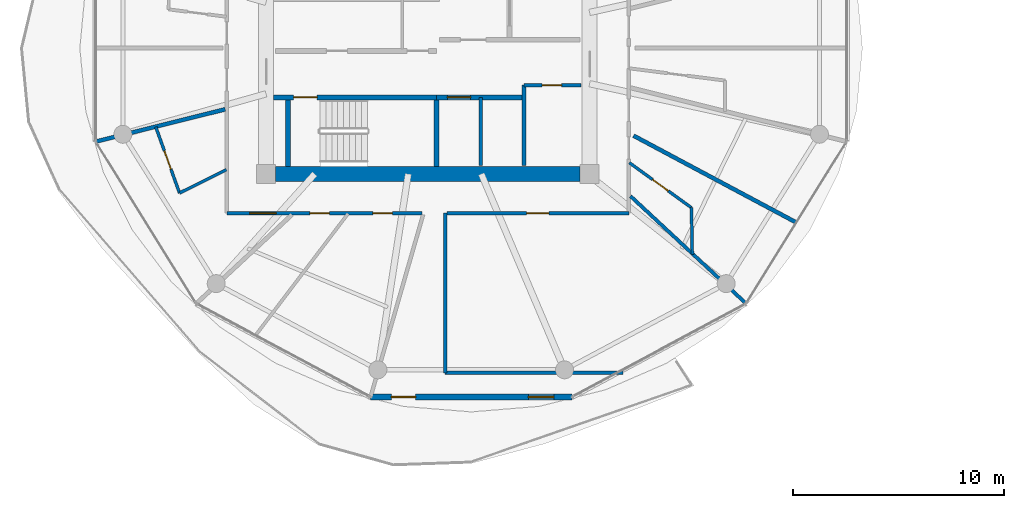
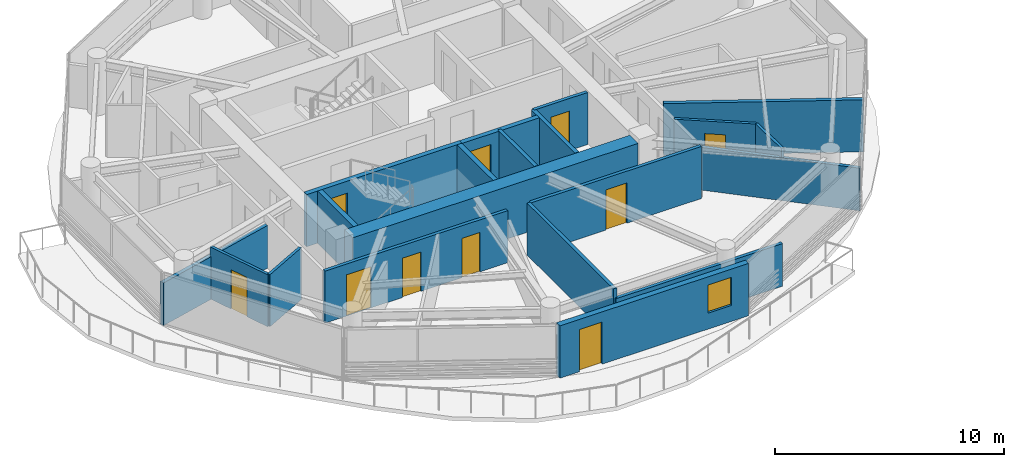
# One storey, part 13 of 24: 20 walls, 10 doors, 1 window, 11 openings.
"""IFC4 building model written with IfcOpenShell, lengths in metres."""

from ifc_helpers import new_model, si_unit, direction, frame, frame_2d, origin, place, context, subcontext, project, spatial, rectangle, extrude, source, transform, mapped, material, layer, layer_set, type_object, type_shapes, element, fill, save


model = new_model("IFC4")

# Units and contexts
model_context = context("Model", 3, precision=1e-05, world=origin(), true_north=direction((0.0, 1.0)))
body_context = subcontext(model_context, "Body", "Model", "MODEL_VIEW")
ifc_project = project(units=[si_unit("LENGTHUNIT", "METRE"), si_unit("AREAUNIT", "SQUARE_METRE"), si_unit("VOLUMEUNIT", "CUBIC_METRE"), si_unit("PLANEANGLEUNIT", "RADIAN"), si_unit("MASSUNIT", "GRAM", prefix="KILO")], contexts=[model_context])

# Site, building, storey
site_placement = place(None, origin())
site = spatial("IfcSite", under=ifc_project, at=site_placement, CompositionType="ELEMENT")
building_placement = place(site_placement, origin())
building = spatial("IfcBuilding", under=site, at=building_placement, Name="Norrkilde Senior Care Towers", CompositionType="ELEMENT")
storey_placement = place(building_placement, frame((0.0, 0.0, 102.35009765625)))
storey = spatial("IfcBuildingStorey", under=building, at=storey_placement, Name="L31", CompositionType="ELEMENT", Elevation=102.35009765625)

# Wall
ifc_material_1 = material(Name="Concrete C60/75", Category="concrete")
ifc_layer_1 = layer(ifc_material_1, 0.719970703125)
ifc_layer_set_1 = layer_set([ifc_layer_1], Name="Concrete C60/75")
wall_type_1 = type_object("IfcWallType", Name="Core Shear Wall Z2 720", PredefinedType="SHEAR", material=ifc_layer_set_1)
shared_shape_1 = source(origin(), body_context, "Body", "SweptSolid", [
    extrude(rectangle(XDim=14.39990234375, YDim=0.719970703125, at=frame_2d((7.199951171875, 0.0))), origin(), (0.0, 0.0, 1.0), 2.789794921875),
])
type_shapes(wall_type_1, [shared_shape_1])
wall_1_placement = place(storey_placement, frame((-20.800048828125, -5.949951171875, 0.0), z_axis=(0.0, 0.0, 1.0), x_axis=(-1.0, 0.0, 0.0)))
element("IfcWall", 1, at=wall_1_placement, inside=storey, type_object=wall_type_1, Name="L31 Core W South Shear Wall", PredefinedType="SHEAR", context=body_context, shape_type="MappedRepresentation", body=[
    mapped(shared_shape_1, transform((0.0, 0.0, 0.0), x_axis=(1.0, 0.0, 0.0), y_axis=(0.0, 1.0, 0.0), z_axis=(0.0, 0.0, 1.0), scale=1.0)),
])

# Wall, openings, door, window
ifc_material_2 = material(Name="Precast concrete C45/55", Category="concrete")
ifc_layer_2 = layer(ifc_material_2, 0.2900390625)
ifc_layer_set_2 = layer_set([ifc_layer_2], Name="Precast concrete C45/55")
wall_type_2 = type_object("IfcWallType", Name="Winter Garden Facade Wall 290", PredefinedType="SOLIDWALL", material=ifc_layer_set_2)
shared_shape_2 = source(origin(), body_context, "Body", "SweptSolid", [
    extrude(rectangle(XDim=9.51416015625, YDim=0.2900390625, at=frame_2d((4.757080078125, 0.0))), origin(), (0.0, 0.0, 1.0), 2.789794921875),
])
type_shapes(wall_type_2, [shared_shape_2])
wall_2_placement = place(storey_placement, frame((-21.19287109375, -16.498046875, 0.0), z_axis=(0.0, 0.0, 1.0), x_axis=(-1.0, 0.0, 0.0)))
wall_2 = element("IfcWall", 2, at=wall_2_placement, inside=storey, type_object=wall_type_2, Name="L31 Drum W Balcony Access Wall 08", PredefinedType="SOLIDWALL", context=body_context, shape_type="MappedRepresentation", body=[
    mapped(shared_shape_2, transform((0.0, 0.0, 0.0), x_axis=(1.0, 0.0, 0.0), y_axis=(0.0, 1.0, 0.0), z_axis=(0.0, 0.0, 1.0), scale=1.0)),
])
opening_1_placement = place(wall_2_placement, frame((7.3798828125, 0.0, 0.0)))
opening_1 = element("IfcOpeningElement", 3, at=opening_1_placement, cuts=wall_2, Name="Opening D-09", PredefinedType="OPENING", context=body_context, shape_type="SweptSolid", body=[
    extrude(rectangle(XDim=1.14990234375, YDim=2.25, at=frame_2d((0.574951171875, 1.125))), frame((0.0, 0.155029296875, 0.0), z_axis=(0.0, -1.0, 0.0), x_axis=(1.0, 0.0, 0.0)), (0.0, 0.0, 1.0), 0.31005859375),
])
opening_2_placement = place(wall_2_placement, frame((0.85009765625, 0.0, 0.85009765625)))
opening_2 = element("IfcOpeningElement", 4, at=opening_2_placement, cuts=wall_2, Name="Opening WN-07", PredefinedType="OPENING", context=body_context, shape_type="SweptSolid", body=[
    extrude(rectangle(XDim=1.199951171875, YDim=1.5, at=frame_2d((0.60009765625, 0.75))), frame((0.0, 0.155029296875, 0.0), z_axis=(0.0, -1.0, 0.0), x_axis=(1.0, 0.0, 0.0)), (0.0, 0.0, 1.0), 0.31005859375),
])
ifc_material_3 = material(Name="Anodised Aluminium", Category="aluminium")
door_type_1 = type_object("IfcDoorType", Name="Terrace and Balcony Glazed Door 1150x2250", OperationType="NOTDEFINED", PredefinedType="DOOR", material=ifc_material_3)
shared_shape_3 = source(origin(), body_context, "Body", "SweptSolid", [
    extrude(rectangle(XDim=1.14990234375, YDim=2.25, at=frame_2d((0.574951171875, 1.125))), frame((0.0, 0.02490234375, 0.0), z_axis=(0.0, -1.0, 0.0), x_axis=(1.0, 0.0, 0.0)), (0.0, 0.0, 1.0), 0.050048828125),
])
type_shapes(door_type_1, [shared_shape_3])
door_1_placement = place(opening_1_placement, origin())
door_1 = element("IfcDoor", 5, at=door_1_placement, inside=storey, type_object=door_type_1, Name="L31 Drum W Outdoor Terrace Door 08", OperationType="SINGLE_SWING_LEFT", OverallHeight=2.25, OverallWidth=1.14990234375, PredefinedType="DOOR", context=body_context, shape_type="MappedRepresentation", body=[
    mapped(shared_shape_3, transform((0.0, 0.0, 0.0), x_axis=(1.0, 0.0, 0.0), y_axis=(0.0, 1.0, 0.0), z_axis=(0.0, 0.0, 1.0), scale=1.0)),
])
fill(opening_1, door_1)
ifc_material_4 = material(Name="Triple Low-E Insulated Glazing", Category="glass")
window_type = type_object("IfcWindowType", Name="Stairwell Smoke Vent Window 1200x1500", PartitioningType="SINGLE_PANEL", PredefinedType="WINDOW", material=ifc_material_4)
shared_shape_4 = source(origin(), body_context, "Body", "SweptSolid", [
    extrude(rectangle(XDim=1.199951171875, YDim=1.5, at=frame_2d((0.60009765625, 0.75))), frame((0.0, 0.030029296875, 0.0), z_axis=(0.0, -1.0, 0.0), x_axis=(1.0, 0.0, 0.0)), (0.0, 0.0, 1.0), 0.06005859375),
])
type_shapes(window_type, [shared_shape_4])
window_placement = place(opening_2_placement, origin())
window = element("IfcWindow", 6, at=window_placement, inside=storey, type_object=window_type, Name="L31 Drum W Winter Garden Window 08", OverallHeight=1.5, OverallWidth=1.199951171875, PartitioningType="SINGLE_PANEL", PredefinedType="WINDOW", context=body_context, shape_type="MappedRepresentation", body=[
    mapped(shared_shape_4, transform((0.0, 0.0, 0.0), x_axis=(1.0, 0.0, 0.0), y_axis=(0.0, 1.0, 0.0), z_axis=(0.0, 0.0, 1.0), scale=1.0)),
])
fill(opening_2, window)

# Wall
ifc_material_5 = material(Name="Concrete C45/55", Category="concrete")
ifc_layer_3 = layer(ifc_material_5, 0.199951171875)
ifc_layer_set_3 = layer_set([ifc_layer_3], Name="Concrete C45/55")
wall_type_3 = type_object("IfcWallType", Name="Shaft Division and Plant Partition 200", PredefinedType="PARTITIONING", material=ifc_layer_set_3)
shared_shape_5 = source(origin(), body_context, "Body", "SweptSolid", [
    extrude(rectangle(XDim=3.800048828125, YDim=0.199951171875, at=frame_2d((1.89990234375, 0.0))), origin(), (0.0, 0.0, 1.0), 2.77490234375),
])
type_shapes(wall_type_3, [shared_shape_5])
wall_3_placement = place(storey_placement, frame((-23.449951171875, -5.550048828125, 0.0), z_axis=(0.0, 0.0, 1.0), x_axis=(0.0, 1.0, 0.0)))
element("IfcWall", 7, at=wall_3_placement, inside=storey, type_object=wall_type_3, Name="WL-INT-L31-W-PKBE", PredefinedType="PARTITIONING", context=body_context, shape_type="MappedRepresentation", body=[
    mapped(shared_shape_5, transform((0.0, 0.0, 0.0), x_axis=(1.0, 0.0, 0.0), y_axis=(0.0, 1.0, 0.0), z_axis=(0.0, 0.0, 1.0), scale=1.0)),
])

# Wall, opening, door
ifc_layer_4 = layer(ifc_material_5, 0.239990234375)
ifc_layer_set_4 = layer_set([ifc_layer_4], Name="Concrete C45/55")
wall_type_4 = type_object("IfcWallType", Name="Lift and Plant Rated Enclosure Partition 240", PredefinedType="PARTITIONING", material=ifc_layer_set_4)
shared_shape_6 = source(origin(), body_context, "Body", "SweptSolid", [
    extrude(rectangle(XDim=4.130126953125, YDim=0.239990234375, at=frame_2d((2.06494140625, 0.0))), origin(), (0.0, 0.0, 1.0), 2.77490234375),
])
type_shapes(wall_type_4, [shared_shape_6])
wall_4_placement = place(storey_placement, frame((-27.580078125, -2.330078125, 0.0), z_axis=(0.0, 0.0, 1.0), x_axis=(1.0, 0.0, 0.0)))
wall_4 = element("IfcWall", 8, at=wall_4_placement, inside=storey, type_object=wall_type_4, Name="WL-INT-L31-W-PKBN", PredefinedType="PARTITIONING", context=body_context, shape_type="MappedRepresentation", body=[
    mapped(shared_shape_6, transform((0.0, 0.0, 0.0), x_axis=(1.0, 0.0, 0.0), y_axis=(0.0, 1.0, 0.0), z_axis=(0.0, 0.0, 1.0), scale=1.0)),
])
opening_3_placement = place(wall_4_placement, frame((0.5, 0.0, 0.0)))
opening_3 = element("IfcOpeningElement", 9, at=opening_3_placement, cuts=wall_4, Name="Opening LD-01", PredefinedType="OPENING", context=body_context, shape_type="SweptSolid", body=[
    extrude(rectangle(XDim=1.10009765625, YDim=2.199951171875, at=frame_2d((0.550048828125, 1.10009765625))), frame((0.0, 0.1298828125, 0.0), z_axis=(0.0, -1.0, 0.0), x_axis=(1.0, 0.0, 0.0)), (0.0, 0.0, 1.0), 0.260009765625),
])
ifc_material_6 = material(Name="Stainless Steel", Category="steel")
door_type_2 = type_object("IfcDoorType", Name="Lift Landing Sliding Door 1100x2200", OperationType="NOTDEFINED", PredefinedType="DOOR", material=ifc_material_6)
shared_shape_7 = source(origin(), body_context, "Body", "SweptSolid", [
    extrude(rectangle(XDim=1.10009765625, YDim=2.199951171875, at=frame_2d((0.550048828125, 1.10009765625))), frame((0.0, 0.02490234375, 0.0), z_axis=(0.0, -1.0, 0.0), x_axis=(1.0, 0.0, 0.0)), (0.0, 0.0, 1.0), 0.050048828125),
])
type_shapes(door_type_2, [shared_shape_7])
door_2_placement = place(opening_3_placement, frame((1.10009765625, 0.0, 0.0), z_axis=(0.0, 0.0, 1.0), x_axis=(-1.0, 0.0, 0.0)))
door_2 = element("IfcDoor", 10, at=door_2_placement, inside=storey, type_object=door_type_2, Name="L31 Passenger Lift W3 Landing Door", OperationType="SLIDING_TO_LEFT", OverallHeight=2.199951171875, OverallWidth=1.10009765625, PredefinedType="DOOR", context=body_context, shape_type="MappedRepresentation", body=[
    mapped(shared_shape_7, transform((0.0, 0.0, 0.0), x_axis=(1.0, 0.0, 0.0), y_axis=(0.0, 1.0, 0.0), z_axis=(0.0, 0.0, 1.0), scale=1.0)),
])
fill(opening_3, door_2)

# Wall
ifc_layer_5 = layer(ifc_material_5, 0.179931640625)
ifc_layer_set_5 = layer_set([ifc_layer_5], Name="Concrete C45/55")
wall_type_5 = type_object("IfcWallType", Name="Hoistway Division Rated Partition 180", PredefinedType="PARTITIONING", material=ifc_layer_set_5)
shared_shape_8 = source(origin(), body_context, "Body", "SweptSolid", [
    extrude(rectangle(XDim=3.219970703125, YDim=0.179931640625, at=frame_2d((1.60986328125, 0.0))), origin(), (0.0, 0.0, 1.0), 2.77490234375),
])
type_shapes(wall_type_5, [shared_shape_8])
wall_5_placement = place(storey_placement, frame((-25.5, -5.550048828125, 0.0), z_axis=(0.0, 0.0, 1.0), x_axis=(0.0, 1.0, 0.0)))
element("IfcWall", 11, at=wall_5_placement, inside=storey, type_object=wall_type_5, Name="WL-INT-L31-W-PL34", PredefinedType="PARTITIONING", context=body_context, shape_type="MappedRepresentation", body=[
    mapped(shared_shape_8, transform((0.0, 0.0, 0.0), x_axis=(1.0, 0.0, 0.0), y_axis=(0.0, 1.0, 0.0), z_axis=(0.0, 0.0, 1.0), scale=1.0)),
])

# Wall, opening, door
ifc_material_7 = material(Name="Gypsum Acoustic Board")
ifc_layer_6 = layer(ifc_material_7, 0.1650390625)
ifc_layer_set_6 = layer_set([ifc_layer_6], Name="Gypsum Acoustic Board")
wall_type_6 = type_object("IfcWallType", Name="Corridor Rated Partition 165", PredefinedType="PARTITIONING", material=ifc_layer_set_6)
shared_shape_9 = source(origin(), body_context, "Body", "SweptSolid", [
    extrude(rectangle(XDim=2.699951171875, YDim=0.1650390625, at=frame_2d((1.35009765625, 0.0))), origin(), (0.0, 0.0, 1.0), 2.77490234375),
])
wall_6_placement = place(storey_placement, frame((-23.449951171875, -1.75, 0.0), z_axis=(0.0, 0.0, 1.0), x_axis=(1.0, 0.0, 0.0)))
wall_6 = element("IfcWall", 12, at=wall_6_placement, inside=storey, type_object=wall_type_6, Name="WL-INT-L31-W-CSN", PredefinedType="PARTITIONING", context=body_context, shape_type="MappedRepresentation", body=[
    mapped(shared_shape_9, transform((0.0, 0.0, 0.0), x_axis=(1.0, 0.0, 0.0), y_axis=(0.0, 1.0, 0.0), z_axis=(0.0, 0.0, 1.0), scale=1.0)),
])
opening_4_placement = place(wall_6_placement, frame((0.85009765625, 0.0, 0.0)))
opening_4 = element("IfcOpeningElement", 13, at=opening_4_placement, cuts=wall_6, Name="Opening D-12", PredefinedType="OPENING", context=body_context, shape_type="SweptSolid", body=[
    extrude(rectangle(XDim=0.925048828125, YDim=2.10009765625, at=frame_2d((0.46240234375, 1.050048828125))), frame((0.0, 0.092529296875, 0.0), z_axis=(0.0, -1.0, 0.0), x_axis=(1.0, 0.0, 0.0)), (0.0, 0.0, 1.0), 0.18505859375),
])
ifc_material_8 = material(Name="Galvanised Painted Steel", Category="steel")
door_type_3 = type_object("IfcDoorType", Name="Core Wet Room Rated Door 925x2100", OperationType="NOTDEFINED", PredefinedType="DOOR", material=ifc_material_8)
shared_shape_10 = source(origin(), body_context, "Body", "SweptSolid", [
    extrude(rectangle(XDim=0.925048828125, YDim=2.10009765625, at=frame_2d((0.46240234375, 1.050048828125))), frame((0.0, 0.02490234375, 0.0), z_axis=(0.0, -1.0, 0.0), x_axis=(1.0, 0.0, 0.0)), (0.0, 0.0, 1.0), 0.050048828125),
])
type_shapes(door_type_3, [shared_shape_10])
door_3_placement = place(opening_4_placement, origin())
door_3 = element("IfcDoor", 14, at=door_3_placement, inside=storey, type_object=door_type_3, Name="L31 Core Utility W Door", OperationType="SINGLE_SWING_LEFT", OverallHeight=2.10009765625, OverallWidth=0.925048828125, PredefinedType="DOOR", context=body_context, shape_type="MappedRepresentation", body=[
    mapped(shared_shape_10, transform((0.0, 0.0, 0.0), x_axis=(1.0, 0.0, 0.0), y_axis=(0.0, 1.0, 0.0), z_axis=(0.0, 0.0, 1.0), scale=1.0)),
])
fill(opening_4, door_3)

shared_shape_11 = source(origin(), body_context, "Body", "SweptSolid", [
    extrude(rectangle(XDim=8.60009765625, YDim=0.1650390625, at=frame_2d((4.300048828125, 0.0))), origin(), (0.0, 0.0, 1.0), 2.77490234375),
])
wall_7_placement = place(storey_placement, frame((-18.5, -7.800048828125, 0.0), z_axis=(0.0, 0.0, 1.0), x_axis=(-1.0, 0.0, 0.0)))
wall_7 = element("IfcWall", 15, at=wall_7_placement, inside=storey, type_object=wall_type_6, Name="WL-INT-L31-W-CRW-S-0", PredefinedType="PARTITIONING", context=body_context, shape_type="MappedRepresentation", body=[
    mapped(shared_shape_11, transform((0.0, 0.0, 0.0), x_axis=(1.0, 0.0, 0.0), y_axis=(0.0, 1.0, 0.0), z_axis=(0.0, 0.0, 1.0), scale=1.0)),
])
opening_5_placement = place(wall_7_placement, frame((3.77490234375, 0.0, 0.0)))
opening_5 = element("IfcOpeningElement", 16, at=opening_5_placement, cuts=wall_7, Name="Opening D-06", PredefinedType="OPENING", context=body_context, shape_type="SweptSolid", body=[
    extrude(rectangle(XDim=1.050048828125, YDim=2.14990234375, at=frame_2d((0.52490234375, 1.074951171875))), frame((0.0, 0.092529296875, 0.0), z_axis=(0.0, -1.0, 0.0), x_axis=(1.0, 0.0, 0.0)), (0.0, 0.0, 1.0), 0.18505859375),
])
ifc_material_9 = material(Name="Nordic Ash Timber", Category="wood")
door_type_4 = type_object("IfcDoorType", Name="Apartment Entrance Fire Door 1050x2150", OperationType="NOTDEFINED", PredefinedType="DOOR", material=ifc_material_9)
shared_shape_12 = source(origin(), body_context, "Body", "SweptSolid", [
    extrude(rectangle(XDim=1.050048828125, YDim=2.14990234375, at=frame_2d((0.52490234375, 1.074951171875))), frame((0.0, 0.02490234375, 0.0), z_axis=(0.0, -1.0, 0.0), x_axis=(1.0, 0.0, 0.0)), (0.0, 0.0, 1.0), 0.050048828125),
])
type_shapes(door_type_4, [shared_shape_12])
door_4_placement = place(opening_5_placement, frame((1.050048828125, 0.0, 0.0), z_axis=(0.0, 0.0, 1.0), x_axis=(-1.0, 0.0, 0.0)))
door_4 = element("IfcDoor", 17, at=door_4_placement, inside=storey, type_object=door_type_4, Name="L31 Reading Lounge SEL Door", OperationType="SINGLE_SWING_RIGHT", OverallHeight=2.14990234375, OverallWidth=1.050048828125, PredefinedType="DOOR", context=body_context, shape_type="MappedRepresentation", body=[
    mapped(shared_shape_12, transform((0.0, 0.0, 0.0), x_axis=(1.0, 0.0, 0.0), y_axis=(0.0, 1.0, 0.0), z_axis=(0.0, 0.0, 1.0), scale=1.0)),
])
fill(opening_5, door_4)

# Wall, openings, doors
shared_shape_13 = source(origin(), body_context, "Body", "SweptSolid", [
    extrude(rectangle(XDim=9.234130859375, YDim=0.1650390625, at=frame_2d((4.6171875, 0.0))), origin(), (0.0, 0.0, 1.0), 2.77490234375),
])
wall_8_placement = place(storey_placement, frame((-28.265869140625, -7.800048828125, 0.0), z_axis=(0.0, 0.0, 1.0), x_axis=(-1.0, 0.0, 0.0)))
wall_8 = element("IfcWall", 18, at=wall_8_placement, inside=storey, type_object=wall_type_6, Name="WL-INT-L31-W-CRW-S-1", PredefinedType="PARTITIONING", context=body_context, shape_type="MappedRepresentation", body=[
    mapped(shared_shape_13, transform((0.0, 0.0, 0.0), x_axis=(1.0, 0.0, 0.0), y_axis=(0.0, 1.0, 0.0), z_axis=(0.0, 0.0, 1.0), scale=1.0)),
])
opening_6_placement = place(wall_8_placement, frame((6.908935546875, 0.0, 0.0)))
opening_6 = element("IfcOpeningElement", 19, at=opening_6_placement, cuts=wall_8, Name="Opening D-05", PredefinedType="OPENING", context=body_context, shape_type="SweptSolid", body=[
    extrude(rectangle(XDim=1.25, YDim=2.199951171875, at=frame_2d((0.625, 1.10009765625))), frame((0.0, 0.092529296875, 0.0), z_axis=(0.0, -1.0, 0.0), x_axis=(1.0, 0.0, 0.0)), (0.0, 0.0, 1.0), 0.18505859375),
])
opening_7_placement = place(wall_8_placement, frame((4.39208984375, 0.0, 0.0)))
opening_7 = element("IfcOpeningElement", 20, at=opening_7_placement, cuts=wall_8, Name="Opening D-08", PredefinedType="OPENING", context=body_context, shape_type="SweptSolid", body=[
    extrude(rectangle(XDim=0.919921875, YDim=2.10009765625, at=frame_2d((0.4599609375, 1.050048828125))), frame((0.0, 0.092529296875, 0.0), z_axis=(0.0, -1.0, 0.0), x_axis=(1.0, 0.0, 0.0)), (0.0, 0.0, 1.0), 0.18505859375),
])
opening_8_placement = place(wall_8_placement, frame((1.407958984375, 0.0, 0.0)))
opening_8 = element("IfcOpeningElement", 21, at=opening_8_placement, cuts=wall_8, Name="Opening D-08", PredefinedType="OPENING", context=body_context, shape_type="SweptSolid", body=[
    extrude(rectangle(XDim=0.919921875, YDim=2.10009765625, at=frame_2d((0.4599609375, 1.050048828125))), frame((0.0, 0.092529296875, 0.0), z_axis=(0.0, -1.0, 0.0), x_axis=(1.0, 0.0, 0.0)), (0.0, 0.0, 1.0), 0.18505859375),
])
door_type_5 = type_object("IfcDoorType", Name="Care Bedroom Bariatric Door 1250x2200", OperationType="NOTDEFINED", PredefinedType="DOOR", material=ifc_material_9)
shared_shape_14 = source(origin(), body_context, "Body", "SweptSolid", [
    extrude(rectangle(XDim=1.25, YDim=2.199951171875, at=frame_2d((0.625, 1.10009765625))), frame((0.0, 0.02490234375, 0.0), z_axis=(0.0, -1.0, 0.0), x_axis=(1.0, 0.0, 0.0)), (0.0, 0.0, 1.0), 0.050048828125),
])
type_shapes(door_type_5, [shared_shape_14])
door_5_placement = place(opening_6_placement, frame((1.25, 0.0, 0.0), z_axis=(0.0, 0.0, 1.0), x_axis=(-1.0, 0.0, 0.0)))
door_5 = element("IfcDoor", 22, at=door_5_placement, inside=storey, type_object=door_type_5, Name="L31 Care Suite 3106 Entrance Door", OperationType="SINGLE_SWING_LEFT", OverallHeight=2.199951171875, OverallWidth=1.25, PredefinedType="DOOR", context=body_context, shape_type="MappedRepresentation", body=[
    mapped(shared_shape_14, transform((0.0, 0.0, 0.0), x_axis=(1.0, 0.0, 0.0), y_axis=(0.0, 1.0, 0.0), z_axis=(0.0, 0.0, 1.0), scale=1.0)),
])
fill(opening_6, door_5)
door_type_6 = type_object("IfcDoorType", Name="Accessible Wet Room Door 920x2100", OperationType="NOTDEFINED", PredefinedType="DOOR", material=ifc_material_9)
shared_shape_15 = source(origin(), body_context, "Body", "SweptSolid", [
    extrude(rectangle(XDim=0.919921875, YDim=2.10009765625, at=frame_2d((0.4599609375, 1.050048828125))), frame((0.0, 0.02490234375, 0.0), z_axis=(0.0, -1.0, 0.0), x_axis=(1.0, 0.0, 0.0)), (0.0, 0.0, 1.0), 0.050048828125),
])
type_shapes(door_type_6, [shared_shape_15])
door_6_placement = place(opening_7_placement, frame((0.919921875, 0.0, 0.0), z_axis=(0.0, 0.0, 1.0), x_axis=(-1.0, 0.0, 0.0)))
door_6 = element("IfcDoor", 23, at=door_6_placement, inside=storey, type_object=door_type_6, Name="L31 Accessible Restroom Door", OperationType="SINGLE_SWING_RIGHT", OverallHeight=2.10009765625, OverallWidth=0.919921875, PredefinedType="DOOR", context=body_context, shape_type="MappedRepresentation", body=[
    mapped(shared_shape_15, transform((0.0, 0.0, 0.0), x_axis=(1.0, 0.0, 0.0), y_axis=(0.0, 1.0, 0.0), z_axis=(0.0, 0.0, 1.0), scale=1.0)),
])
fill(opening_7, door_6)
door_7_placement = place(opening_8_placement, frame((0.919921875, 0.0, 0.0), z_axis=(0.0, 0.0, 1.0), x_axis=(-1.0, 0.0, 0.0)))
door_7 = element("IfcDoor", 24, at=door_7_placement, inside=storey, type_object=door_type_6, Name="L31 Public Restroom Door", OperationType="SINGLE_SWING_LEFT", OverallHeight=2.10009765625, OverallWidth=0.919921875, PredefinedType="DOOR", context=body_context, shape_type="MappedRepresentation", body=[
    mapped(shared_shape_15, transform((0.0, 0.0, 0.0), x_axis=(1.0, 0.0, 0.0), y_axis=(0.0, 1.0, 0.0), z_axis=(0.0, 0.0, 1.0), scale=1.0)),
])
fill(opening_8, door_7)

# Walls
shared_shape_16 = source(origin(), body_context, "Body", "SweptSolid", [
    extrude(rectangle(XDim=7.482177734375, YDim=0.1650390625, at=frame_2d((3.7412109375, 0.0))), origin(), (0.0, 0.0, 1.0), 2.27490234375),
])
wall_9_placement = place(storey_placement, frame((-18.419921875, -6.998046875, 0.0), z_axis=(0.0, 0.0, 1.0), x_axis=(0.732508698043, -0.680757671489, 0.0)))
element("IfcWall", 25, at=wall_9_placement, inside=storey, type_object=wall_type_6, Name="WL-INT-L31-W-DEM-10-0", PredefinedType="PARTITIONING", context=body_context, shape_type="MappedRepresentation", body=[
    mapped(shared_shape_16, transform((0.0, 0.0, 0.0), x_axis=(1.0, 0.0, 0.0), y_axis=(0.0, 1.0, 0.0), z_axis=(0.0, 0.0, 1.0), scale=1.0)),
])
shared_shape_17 = source(origin(), body_context, "Body", "SweptSolid", [
    extrude(rectangle(XDim=7.56005859375, YDim=0.1650390625, at=frame_2d((3.780029296875, 0.0))), origin(), (0.0, 0.0, 1.0), 2.77490234375),
])
wall_10_placement = place(storey_placement, frame((-27.179931640625, -15.360107421875, 0.0), z_axis=(0.0, 0.0, 1.0), x_axis=(0.0, 1.0, 0.0)))
element("IfcWall", 26, at=wall_10_placement, inside=storey, type_object=wall_type_6, Name="WL-INT-L31-W-PKW-SEL", PredefinedType="PARTITIONING", context=body_context, shape_type="MappedRepresentation", body=[
    mapped(shared_shape_17, transform((0.0, 0.0, 0.0), x_axis=(1.0, 0.0, 0.0), y_axis=(0.0, 1.0, 0.0), z_axis=(0.0, 0.0, 1.0), scale=1.0)),
])
shared_shape_18 = source(origin(), body_context, "Body", "SweptSolid", [
    extrude(rectangle(XDim=8.406982421875, YDim=0.1650390625, at=frame_2d((4.20361328125, 0.0))), origin(), (0.0, 0.0, 1.0), 2.27490234375),
])
type_shapes(wall_type_6, [shared_shape_9, shared_shape_11, shared_shape_13, shared_shape_16, shared_shape_17, shared_shape_18])
wall_11_placement = place(storey_placement, frame((-27.179931640625, -15.360107421875, 0.0), z_axis=(0.0, 0.0, 1.0), x_axis=(1.0, 0.0, 0.0)))
element("IfcWall", 27, at=wall_11_placement, inside=storey, type_object=wall_type_6, Name="WL-INT-L31-W-PKH-SEL-0", PredefinedType="PARTITIONING", context=body_context, shape_type="MappedRepresentation", body=[
    mapped(shared_shape_18, transform((0.0, 0.0, 0.0), x_axis=(1.0, 0.0, 0.0), y_axis=(0.0, 1.0, 0.0), z_axis=(0.0, 0.0, 1.0), scale=1.0)),
])
ifc_layer_7 = layer(ifc_material_7, 0.18994140625)
ifc_layer_set_7 = layer_set([ifc_layer_7], Name="Gypsum Acoustic Board")
wall_type_7 = type_object("IfcWallType", Name="Unit Demising Acoustic Wall 190", PredefinedType="PARTITIONING", material=ifc_layer_set_7)
shared_shape_19 = source(origin(), body_context, "Body", "SweptSolid", [
    extrude(rectangle(XDim=6.33056640625, YDim=0.18994140625, at=frame_2d((3.165283203125, 0.0))), origin(), (0.0, 0.0, 1.0), 2.27490234375),
])
wall_12_placement = place(storey_placement, frame((-37.580078125, -2.89599609375, 0.0), z_axis=(0.0, 0.0, 1.0), x_axis=(-0.97036440661, -0.241646267062, 0.0)))
element("IfcWall", 28, at=wall_12_placement, inside=storey, type_object=wall_type_7, Name="WL-INT-L31-W-DEM-06-0", PredefinedType="PARTITIONING", context=body_context, shape_type="MappedRepresentation", body=[
    mapped(shared_shape_19, transform((0.0, 0.0, 0.0), x_axis=(1.0, 0.0, 0.0), y_axis=(0.0, 1.0, 0.0), z_axis=(0.0, 0.0, 1.0), scale=1.0)),
])
ifc_layer_8 = layer(ifc_material_7, 0.139892578125)
ifc_layer_set_8 = layer_set([ifc_layer_8], Name="Gypsum Acoustic Board")
wall_type_8 = type_object("IfcWallType", Name="En-suite Wet Room Wall 140", PredefinedType="PARTITIONING", material=ifc_layer_set_8)
shared_shape_20 = source(origin(), body_context, "Body", "SweptSolid", [
    extrude(rectangle(XDim=2.46923828125, YDim=0.139892578125, at=frame_2d((1.234619140625, 0.0))), origin(), (0.0, 0.0, 1.0), 2.77490234375),
])
wall_13_placement = place(storey_placement, frame((-37.530029296875, -5.753662109375, 0.0), z_axis=(0.0, 0.0, 1.0), x_axis=(-0.895512172456, -0.445037019789, 0.0)))
element("IfcWall", 29, at=wall_13_placement, inside=storey, type_object=wall_type_8, Name="WL-INT-L31-W-ES-06", PredefinedType="PARTITIONING", context=body_context, shape_type="MappedRepresentation", body=[
    mapped(shared_shape_20, transform((0.0, 0.0, 0.0), x_axis=(1.0, 0.0, 0.0), y_axis=(0.0, 1.0, 0.0), z_axis=(0.0, 0.0, 1.0), scale=1.0)),
])

# Wall, opening, door
shared_shape_21 = source(origin(), body_context, "Body", "SweptSolid", [
    extrude(rectangle(XDim=3.31396484375, YDim=0.139892578125, at=frame_2d((1.656982421875, 0.0))), origin(), (0.0, 0.0, 1.0), 2.77490234375),
])
wall_14_placement = place(storey_placement, frame((-39.7412109375, -6.8525390625, 0.0), z_axis=(0.0, 0.0, 1.0), x_axis=(-0.338067217654, 0.941121966776, 0.0)))
wall_14 = element("IfcWall", 30, at=wall_14_placement, inside=storey, type_object=wall_type_8, Name="WL-INT-L31-W-EF-06", PredefinedType="PARTITIONING", context=body_context, shape_type="MappedRepresentation", body=[
    mapped(shared_shape_21, transform((0.0, 0.0, 0.0), x_axis=(1.0, 0.0, 0.0), y_axis=(0.0, 1.0, 0.0), z_axis=(0.0, 0.0, 1.0), scale=1.0)),
])
opening_9_placement = place(wall_14_placement, frame((1.197021484375, 0.0, 0.0)))
opening_9 = element("IfcOpeningElement", 31, at=opening_9_placement, cuts=wall_14, Name="Opening D-08", PredefinedType="OPENING", context=body_context, shape_type="SweptSolid", body=[
    extrude(rectangle(XDim=0.919921875, YDim=2.10009765625, at=frame_2d((0.4599609375, 1.050048828125))), frame((0.0, 0.079833984375, 0.0), z_axis=(0.0, -1.0, 0.0), x_axis=(1.0, 0.0, 0.0)), (0.0, 0.0, 1.0), 0.159912109375),
])
door_8_placement = place(opening_9_placement, origin())
door_8 = element("IfcDoor", 32, at=door_8_placement, inside=storey, type_object=door_type_6, Name="L31 Care Suite 3106 Bathroom Door", OperationType="SINGLE_SWING_RIGHT", OverallHeight=2.10009765625, OverallWidth=0.919921875, PredefinedType="DOOR", context=body_context, shape_type="MappedRepresentation", body=[
    mapped(shared_shape_15, transform((0.0, 0.0, 0.0), x_axis=(1.0, 0.0, 0.0), y_axis=(0.0, 1.0, 0.0), z_axis=(0.0, 0.0, 1.0), scale=1.0)),
])
fill(opening_9, door_8)

# Wall
shared_shape_22 = source(origin(), body_context, "Body", "SweptSolid", [
    extrude(rectangle(XDim=8.744384765625, YDim=0.18994140625, at=frame_2d((4.3720703125, 0.0))), origin(), (0.0, 0.0, 1.0), 2.77490234375),
])
type_shapes(wall_type_7, [shared_shape_19, shared_shape_22])
wall_15_placement = place(storey_placement, frame((-18.27294921875, -4.141845703125, 0.0), z_axis=(0.0, 0.0, 1.0), x_axis=(0.882252449936, -0.470776607938, 0.0)))
element("IfcWall", 33, at=wall_15_placement, inside=storey, type_object=wall_type_7, Name="WL-INT-L31-W-CMID-10", PredefinedType="PARTITIONING", context=body_context, shape_type="MappedRepresentation", body=[
    mapped(shared_shape_22, transform((0.0, 0.0, 0.0), x_axis=(1.0, 0.0, 0.0), y_axis=(0.0, 1.0, 0.0), z_axis=(0.0, 0.0, 1.0), scale=1.0)),
])

# Wall, opening, door
shared_shape_23 = source(origin(), body_context, "Body", "SweptSolid", [
    extrude(rectangle(XDim=3.621337890625, YDim=0.139892578125, at=frame_2d((1.810546875, 0.0))), origin(), (0.0, 0.0, 1.0), 2.77490234375),
])
wall_16_placement = place(storey_placement, frame((-18.469970703125, -5.421875, 0.0), z_axis=(0.0, 0.0, 1.0), x_axis=(0.80968252222, -0.586868139544, 0.0)))
wall_16 = element("IfcWall", 34, at=wall_16_placement, inside=storey, type_object=wall_type_8, Name="WL-INT-L31-W-ES-10A", PredefinedType="PARTITIONING", context=body_context, shape_type="MappedRepresentation", body=[
    mapped(shared_shape_23, transform((0.0, 0.0, 0.0), x_axis=(1.0, 0.0, 0.0), y_axis=(0.0, 1.0, 0.0), z_axis=(0.0, 0.0, 1.0), scale=1.0)),
])
opening_10_placement = place(wall_16_placement, frame((1.3505859375, 0.0, 0.0)))
opening_10 = element("IfcOpeningElement", 35, at=opening_10_placement, cuts=wall_16, Name="Opening D-08", PredefinedType="OPENING", context=body_context, shape_type="SweptSolid", body=[
    extrude(rectangle(XDim=0.919921875, YDim=2.10009765625, at=frame_2d((0.4599609375, 1.050048828125))), frame((0.0, 0.079833984375, 0.0), z_axis=(0.0, -1.0, 0.0), x_axis=(1.0, 0.0, 0.0)), (0.0, 0.0, 1.0), 0.159912109375),
])
door_9_placement = place(opening_10_placement, origin())
door_9 = element("IfcDoor", 36, at=door_9_placement, inside=storey, type_object=door_type_6, Name="L31 Care Suite 3110A Bathroom Door", OperationType="SINGLE_SWING_RIGHT", OverallHeight=2.10009765625, OverallWidth=0.919921875, PredefinedType="DOOR", context=body_context, shape_type="MappedRepresentation", body=[
    mapped(shared_shape_15, transform((0.0, 0.0, 0.0), x_axis=(1.0, 0.0, 0.0), y_axis=(0.0, 1.0, 0.0), z_axis=(0.0, 0.0, 1.0), scale=1.0)),
])
fill(opening_10, door_9)

# Wall
shared_shape_24 = source(origin(), body_context, "Body", "SweptSolid", [
    extrude(rectangle(XDim=2.224853515625, YDim=0.139892578125, at=frame_2d((1.1123046875, 0.0))), origin(), (0.0, 0.0, 1.0), 2.77490234375),
])
type_shapes(wall_type_8, [shared_shape_20, shared_shape_21, shared_shape_23, shared_shape_24])
wall_17_placement = place(storey_placement, frame((-15.537841796875, -7.547119140625, 0.0), z_axis=(0.0, 0.0, 1.0), x_axis=(0.019971869027, -0.999800542332, 0.0)))
element("IfcWall", 37, at=wall_17_placement, inside=storey, type_object=wall_type_8, Name="WL-INT-L31-W-EF-10A", PredefinedType="PARTITIONING", context=body_context, shape_type="MappedRepresentation", body=[
    mapped(shared_shape_24, transform((0.0, 0.0, 0.0), x_axis=(1.0, 0.0, 0.0), y_axis=(0.0, 1.0, 0.0), z_axis=(0.0, 0.0, 1.0), scale=1.0)),
])

# Wall, opening, door
ifc_layer_9 = layer(ifc_material_5, 0.239990234375)
ifc_layer_set_9 = layer_set([ifc_layer_9], Name="Concrete C45/55")
wall_type_9 = type_object("IfcWallType", Name="Shaft and Stair Enclosure Wall 240", PredefinedType="PARTITIONING", material=ifc_layer_set_9)
shared_shape_25 = source(origin(), body_context, "Body", "SweptSolid", [
    extrude(rectangle(XDim=7.830078125, YDim=0.239990234375, at=frame_2d((3.9150390625, 0.0))), origin(), (0.0, 0.0, 1.0), 2.789794921875),
])
wall_18_placement = place(storey_placement, frame((-35.2900390625, -2.330078125, 0.0), z_axis=(0.0, 0.0, 1.0), x_axis=(1.0, 0.0, 0.0)))
wall_18 = element("IfcWall", 38, at=wall_18_placement, inside=storey, type_object=wall_type_9, Name="WL-INT-L31-W-ST2N", PredefinedType="PARTITIONING", context=body_context, shape_type="MappedRepresentation", body=[
    mapped(shared_shape_25, transform((0.0, 0.0, 0.0), x_axis=(1.0, 0.0, 0.0), y_axis=(0.0, 1.0, 0.0), z_axis=(0.0, 0.0, 1.0), scale=1.0)),
])
opening_11_placement = place(wall_18_placement, frame((0.949951171875, 0.0, 0.0)))
opening_11 = element("IfcOpeningElement", 39, at=opening_11_placement, cuts=wall_18, Name="Opening D-03", PredefinedType="OPENING", context=body_context, shape_type="SweptSolid", body=[
    extrude(rectangle(XDim=1.10009765625, YDim=2.14990234375, at=frame_2d((0.550048828125, 1.074951171875))), frame((0.0, 0.1298828125, 0.0), z_axis=(0.0, -1.0, 0.0), x_axis=(1.0, 0.0, 0.0)), (0.0, 0.0, 1.0), 0.260009765625),
])
door_type_7 = type_object("IfcDoorType", Name="Stairwell Protected Fire Door 1100x2150", OperationType="NOTDEFINED", PredefinedType="DOOR", material=ifc_material_8)
shared_shape_26 = source(origin(), body_context, "Body", "SweptSolid", [
    extrude(rectangle(XDim=1.10009765625, YDim=2.14990234375, at=frame_2d((0.550048828125, 1.074951171875))), frame((0.0, 0.02490234375, 0.0), z_axis=(0.0, -1.0, 0.0), x_axis=(1.0, 0.0, 0.0)), (0.0, 0.0, 1.0), 0.050048828125),
])
type_shapes(door_type_7, [shared_shape_26])
door_10_placement = place(opening_11_placement, frame((1.10009765625, 0.0, 0.0), z_axis=(0.0, 0.0, 1.0), x_axis=(-1.0, 0.0, 0.0)))
door_10 = element("IfcDoor", 40, at=door_10_placement, inside=storey, type_object=door_type_7, Name="L31 Stair W2 Fire Door", OperationType="SINGLE_SWING_RIGHT", OverallHeight=2.14990234375, OverallWidth=1.10009765625, PredefinedType="DOOR", context=body_context, shape_type="MappedRepresentation", body=[
    mapped(shared_shape_26, transform((0.0, 0.0, 0.0), x_axis=(1.0, 0.0, 0.0), y_axis=(0.0, 1.0, 0.0), z_axis=(0.0, 0.0, 1.0), scale=1.0)),
])
fill(opening_11, door_10)

# Walls
shared_shape_27 = source(origin(), body_context, "Body", "SweptSolid", [
    extrude(rectangle(XDim=3.14013671875, YDim=0.239990234375, at=frame_2d((1.570068359375, 0.0))), origin(), (0.0, 0.0, 1.0), 2.789794921875),
])
type_shapes(wall_type_9, [shared_shape_25, shared_shape_27])
for number, where, z_axis, x_axis, name in (
    (41, (-34.6201171875, -5.590087890625, 0.0), (0.0, 0.0, 1.0), (0.0, 1.0, 0.0), "WL-INT-L31-W-ST2W"),
    (42, (-27.580078125, -5.590087890625, 0.0), (0.0, 0.0, 1.0), (0.0, 1.0, 0.0), "WL-INT-L31-W-ST2E"),
):
    element("IfcWall", number, at=place(storey_placement, frame(where, z_axis=z_axis, x_axis=x_axis)), inside=storey, type_object=wall_type_9, Name=name, PredefinedType="PARTITIONING", context=body_context, shape_type="MappedRepresentation", body=[
        mapped(shared_shape_27, transform((0.0, 0.0, 0.0), x_axis=(1.0, 0.0, 0.0), y_axis=(0.0, 1.0, 0.0), z_axis=(0.0, 0.0, 1.0), scale=1.0)),
    ])

save(model, "model.ifc")
